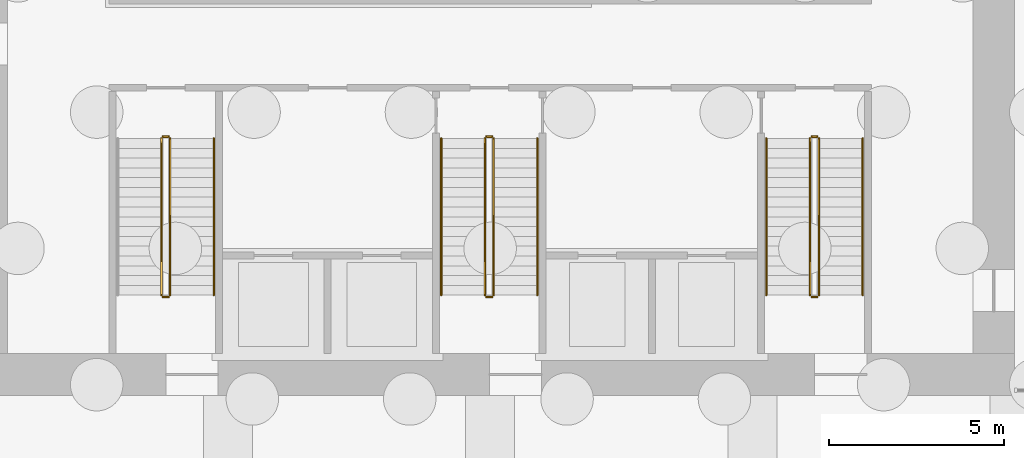
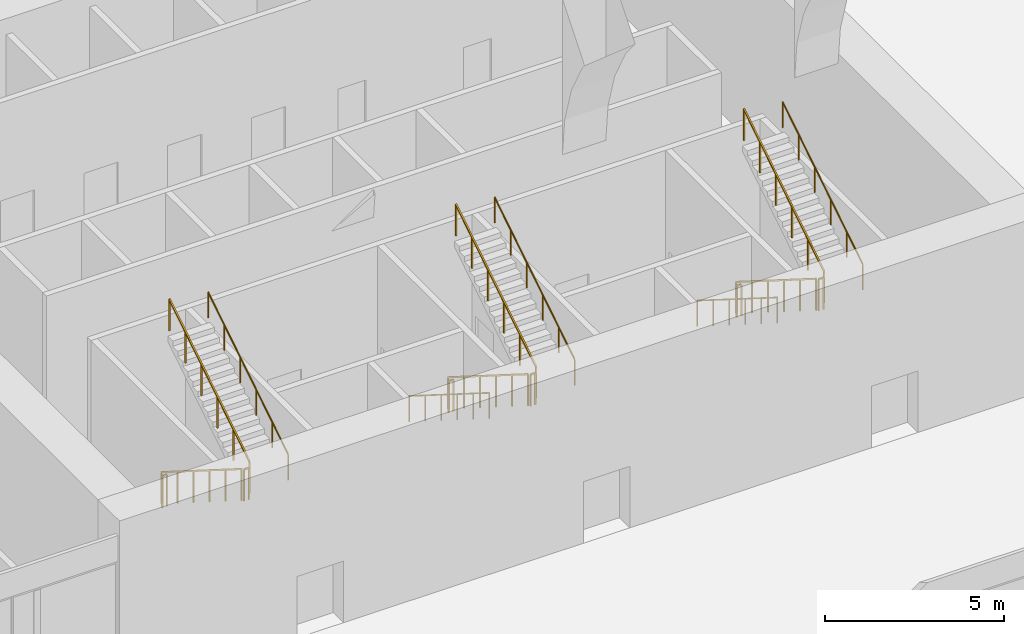
# One storey, part 44 of 46: 17 railings.
"""IFC4 building model written with IfcOpenShell, lengths in metres."""

from ifc_helpers import new_model, si_unit, direction, frame, origin, origin_2d, place, context, subcontext, project, spatial, rectangle, circle, extrude, material, type_object, element, save


model = new_model("IFC4")

# Units and contexts
model_context = context("Model", 3, precision=1e-05, world=origin(), true_north=direction((0.0, 1.0)))
body_context = subcontext(model_context, "Body", "Model", "MODEL_VIEW")
ifc_project = project(units=[si_unit("LENGTHUNIT", "METRE"), si_unit("AREAUNIT", "SQUARE_METRE"), si_unit("VOLUMEUNIT", "CUBIC_METRE"), si_unit("PLANEANGLEUNIT", "RADIAN"), si_unit("MASSUNIT", "GRAM", prefix="KILO")], contexts=[model_context])

# Site, building, storey
site_placement = place(None, origin())
site = spatial("IfcSite", under=ifc_project, at=site_placement, CompositionType="ELEMENT")
building_placement = place(site_placement, origin())
building = spatial("IfcBuilding", under=site, at=building_placement, Name="Mangrove Gate Tower", CompositionType="ELEMENT")
storey_placement = place(building_placement, origin())
storey = spatial("IfcBuildingStorey", under=building, at=storey_placement, Name="L00", CompositionType="ELEMENT", Elevation=0.0)

# Railings
ifc_material_1 = material(Name="Stainless steel 316", Category="steel")
railing_type_1 = type_object("IfcRailingType", Name="Core stair guard 1100", PredefinedType="GUARDRAIL", material=ifc_material_1)
railing_1_placement = place(storey_placement, frame((-9.39990234375, -4.64990234375, 0.176513671875)))
element("IfcRailing", 1, at=railing_1_placement, inside=storey, type_object=railing_type_1, Name="L00 ST1 stair guard 1", PredefinedType="GUARDRAIL", context=body_context, shape_type="SweptSolid", body=[
    extrude(rectangle(XDim=0.048095703125, YDim=0.048095703125, at=origin_2d()), frame((0.0, 0.0, 1.076171875), z_axis=(0.0, -0.845997938375, 0.533186166611), x_axis=(1.0, 0.0, 0.0)), (0.0, 0.0, 1.0), 5.29541015625),
    extrude(rectangle(XDim=0.0419921875, YDim=0.0419921875, at=origin_2d()), origin(), (0.0, 0.0, 1.0), 1.052001953125),
    extrude(rectangle(XDim=0.0419921875, YDim=0.0419921875, at=origin_2d()), frame((0.0, -0.89599609375, 0.564697265625)), (0.0, 0.0, 1.0), 1.052001953125),
    extrude(rectangle(XDim=0.0419921875, YDim=0.0419921875, at=origin_2d()), frame((0.0, -1.7919921875, 1.12939453125)), (0.0, 0.0, 1.0), 1.052001953125),
    extrude(rectangle(XDim=0.0419921875, YDim=0.0419921875, at=origin_2d()), frame((0.0, -2.68798828125, 1.694091796875)), (0.0, 0.0, 1.0), 1.052001953125),
    extrude(rectangle(XDim=0.0419921875, YDim=0.0419921875, at=origin_2d()), frame((0.0, -3.583984375, 2.2587890625)), (0.0, 0.0, 1.0), 1.052001953125),
    extrude(rectangle(XDim=0.0419921875, YDim=0.0419921875, at=origin_2d()), frame((0.0, -4.47998046875, 2.823486328125)), (0.0, 0.0, 1.0), 1.052001953125),
])
railing_2_placement = place(storey_placement, frame((-9.35009765625, -9.179931640625, 3.0)))
element("IfcRailing", 2, at=railing_2_placement, inside=storey, type_object=railing_type_1, Name="L00 ST1 stair guard 2", PredefinedType="GUARDRAIL", context=body_context, shape_type="SweptSolid", body=[
    extrude(rectangle(XDim=0.048095703125, YDim=0.048095703125, at=origin_2d()), frame((0.0, 0.0, 1.076171875), z_axis=(1.0, 0.0, 0.0), x_axis=(0.0, 1.0, 0.0)), (0.0, 0.0, 1.0), 0.150146484375),
    extrude(rectangle(XDim=0.0419921875, YDim=0.0419921875, at=origin_2d()), origin(), (0.0, 0.0, 1.0), 1.052001953125),
    extrude(rectangle(XDim=0.0419921875, YDim=0.0419921875, at=origin_2d()), frame((0.150146484375, 0.0, 0.0)), (0.0, 0.0, 1.0), 1.052001953125),
])
railing_3_placement = place(storey_placement, frame((-9.14990234375, -9.1298828125, 3.176513671875)))
element("IfcRailing", 3, at=railing_3_placement, inside=storey, type_object=railing_type_1, Name="L00 ST1 stair guard 3", PredefinedType="GUARDRAIL", context=body_context, shape_type="SweptSolid", body=[
    extrude(rectangle(XDim=0.048095703125, YDim=0.048095703125, at=origin_2d()), frame((0.0, 0.0, 1.076171875), z_axis=(0.0, 0.845997938375, 0.533186166611), x_axis=(-1.0, 0.0, 0.0)), (0.0, 0.0, 1.0), 5.29541015625),
    extrude(rectangle(XDim=0.0419921875, YDim=0.0419921875, at=origin_2d()), origin(), (0.0, 0.0, 1.0), 1.052001953125),
    extrude(rectangle(XDim=0.0419921875, YDim=0.0419921875, at=origin_2d()), frame((0.0, 0.89599609375, 0.564697265625)), (0.0, 0.0, 1.0), 1.052001953125),
    extrude(rectangle(XDim=0.0419921875, YDim=0.0419921875, at=origin_2d()), frame((0.0, 1.7919921875, 1.12939453125)), (0.0, 0.0, 1.0), 1.052001953125),
    extrude(rectangle(XDim=0.0419921875, YDim=0.0419921875, at=origin_2d()), frame((0.0, 2.68798828125, 1.694091796875)), (0.0, 0.0, 1.0), 1.052001953125),
    extrude(rectangle(XDim=0.0419921875, YDim=0.0419921875, at=origin_2d()), frame((0.0, 3.583984375, 2.2587890625)), (0.0, 0.0, 1.0), 1.052001953125),
    extrude(rectangle(XDim=0.0419921875, YDim=0.0419921875, at=origin_2d()), frame((0.0, 4.47998046875, 2.823486328125)), (0.0, 0.0, 1.0), 1.052001953125),
])
railing_4_placement = place(storey_placement, frame((-9.35009765625, -4.60009765625, 0.0)))
element("IfcRailing", 4, at=railing_4_placement, inside=storey, type_object=railing_type_1, Name="L00 ST1 stair guard 4", PredefinedType="GUARDRAIL", context=body_context, shape_type="SweptSolid", body=[
    extrude(rectangle(XDim=0.048095703125, YDim=0.048095703125, at=origin_2d()), frame((0.0, 0.0, 1.076171875), z_axis=(1.0, 0.0, 0.0), x_axis=(0.0, 1.0, 0.0)), (0.0, 0.0, 1.0), 0.150146484375),
    extrude(rectangle(XDim=0.0419921875, YDim=0.0419921875, at=origin_2d()), origin(), (0.0, 0.0, 1.0), 1.052001953125),
    extrude(rectangle(XDim=0.0419921875, YDim=0.0419921875, at=origin_2d()), frame((0.150146484375, 0.0, 0.0)), (0.0, 0.0, 1.0), 1.052001953125),
])
railing_5_placement = place(storey_placement, frame((-0.14990234375, -4.64990234375, 0.176513671875)))
element("IfcRailing", 5, at=railing_5_placement, inside=storey, type_object=railing_type_1, Name="L00 ST2 stair guard 1", PredefinedType="GUARDRAIL", context=body_context, shape_type="SweptSolid", body=[
    extrude(rectangle(XDim=0.048095703125, YDim=0.048095703125, at=origin_2d()), frame((0.0, 0.0, 1.076171875), z_axis=(0.0, -0.845997938375, 0.533186166611), x_axis=(1.0, 0.0, 0.0)), (0.0, 0.0, 1.0), 5.29541015625),
    extrude(rectangle(XDim=0.0419921875, YDim=0.0419921875, at=origin_2d()), origin(), (0.0, 0.0, 1.0), 1.052001953125),
    extrude(rectangle(XDim=0.0419921875, YDim=0.0419921875, at=origin_2d()), frame((0.0, -0.89599609375, 0.564697265625)), (0.0, 0.0, 1.0), 1.052001953125),
    extrude(rectangle(XDim=0.0419921875, YDim=0.0419921875, at=origin_2d()), frame((0.0, -1.7919921875, 1.12939453125)), (0.0, 0.0, 1.0), 1.052001953125),
    extrude(rectangle(XDim=0.0419921875, YDim=0.0419921875, at=origin_2d()), frame((0.0, -2.68798828125, 1.694091796875)), (0.0, 0.0, 1.0), 1.052001953125),
    extrude(rectangle(XDim=0.0419921875, YDim=0.0419921875, at=origin_2d()), frame((0.0, -3.583984375, 2.2587890625)), (0.0, 0.0, 1.0), 1.052001953125),
    extrude(rectangle(XDim=0.0419921875, YDim=0.0419921875, at=origin_2d()), frame((0.0, -4.47998046875, 2.823486328125)), (0.0, 0.0, 1.0), 1.052001953125),
])
railing_6_placement = place(storey_placement, frame((-0.10009765625, -9.179931640625, 3.0)))
element("IfcRailing", 6, at=railing_6_placement, inside=storey, type_object=railing_type_1, Name="L00 ST2 stair guard 2", PredefinedType="GUARDRAIL", context=body_context, shape_type="SweptSolid", body=[
    extrude(rectangle(XDim=0.048095703125, YDim=0.048095703125, at=origin_2d()), frame((0.0, 0.0, 1.076171875), z_axis=(1.0, 0.0, 0.0), x_axis=(0.0, 1.0, 0.0)), (0.0, 0.0, 1.0), 0.150146484375),
    extrude(rectangle(XDim=0.0419921875, YDim=0.0419921875, at=origin_2d()), origin(), (0.0, 0.0, 1.0), 1.052001953125),
    extrude(rectangle(XDim=0.0419921875, YDim=0.0419921875, at=origin_2d()), frame((0.150146484375, 0.0, 0.0)), (0.0, 0.0, 1.0), 1.052001953125),
])
railing_7_placement = place(storey_placement, frame((0.10009765625, -9.1298828125, 3.176513671875)))
element("IfcRailing", 7, at=railing_7_placement, inside=storey, type_object=railing_type_1, Name="L00 ST2 stair guard 3", PredefinedType="GUARDRAIL", context=body_context, shape_type="SweptSolid", body=[
    extrude(rectangle(XDim=0.048095703125, YDim=0.048095703125, at=origin_2d()), frame((0.0, 0.0, 1.076171875), z_axis=(0.0, 0.845997938375, 0.533186166611), x_axis=(-1.0, 0.0, 0.0)), (0.0, 0.0, 1.0), 5.29541015625),
    extrude(rectangle(XDim=0.0419921875, YDim=0.0419921875, at=origin_2d()), origin(), (0.0, 0.0, 1.0), 1.052001953125),
    extrude(rectangle(XDim=0.0419921875, YDim=0.0419921875, at=origin_2d()), frame((0.0, 0.89599609375, 0.564697265625)), (0.0, 0.0, 1.0), 1.052001953125),
    extrude(rectangle(XDim=0.0419921875, YDim=0.0419921875, at=origin_2d()), frame((0.0, 1.7919921875, 1.12939453125)), (0.0, 0.0, 1.0), 1.052001953125),
    extrude(rectangle(XDim=0.0419921875, YDim=0.0419921875, at=origin_2d()), frame((0.0, 2.68798828125, 1.694091796875)), (0.0, 0.0, 1.0), 1.052001953125),
    extrude(rectangle(XDim=0.0419921875, YDim=0.0419921875, at=origin_2d()), frame((0.0, 3.583984375, 2.2587890625)), (0.0, 0.0, 1.0), 1.052001953125),
    extrude(rectangle(XDim=0.0419921875, YDim=0.0419921875, at=origin_2d()), frame((0.0, 4.47998046875, 2.823486328125)), (0.0, 0.0, 1.0), 1.052001953125),
])
railing_8_placement = place(storey_placement, frame((-0.10009765625, -4.60009765625, 0.0)))
element("IfcRailing", 8, at=railing_8_placement, inside=storey, type_object=railing_type_1, Name="L00 ST2 stair guard 4", PredefinedType="GUARDRAIL", context=body_context, shape_type="SweptSolid", body=[
    extrude(rectangle(XDim=0.048095703125, YDim=0.048095703125, at=origin_2d()), frame((0.0, 0.0, 1.076171875), z_axis=(1.0, 0.0, 0.0), x_axis=(0.0, 1.0, 0.0)), (0.0, 0.0, 1.0), 0.150146484375),
    extrude(rectangle(XDim=0.0419921875, YDim=0.0419921875, at=origin_2d()), origin(), (0.0, 0.0, 1.0), 1.052001953125),
    extrude(rectangle(XDim=0.0419921875, YDim=0.0419921875, at=origin_2d()), frame((0.150146484375, 0.0, 0.0)), (0.0, 0.0, 1.0), 1.052001953125),
])
railing_9_placement = place(storey_placement, frame((9.14990234375, -4.64990234375, 0.176513671875)))
element("IfcRailing", 9, at=railing_9_placement, inside=storey, type_object=railing_type_1, Name="L00 ST3 stair guard 1", PredefinedType="GUARDRAIL", context=body_context, shape_type="SweptSolid", body=[
    extrude(rectangle(XDim=0.048095703125, YDim=0.048095703125, at=origin_2d()), frame((0.0, 0.0, 1.076171875), z_axis=(0.0, -0.845997938375, 0.533186166611), x_axis=(1.0, 0.0, 0.0)), (0.0, 0.0, 1.0), 5.29541015625),
    extrude(rectangle(XDim=0.0419921875, YDim=0.0419921875, at=origin_2d()), origin(), (0.0, 0.0, 1.0), 1.052001953125),
    extrude(rectangle(XDim=0.0419921875, YDim=0.0419921875, at=origin_2d()), frame((0.0, -0.89599609375, 0.564697265625)), (0.0, 0.0, 1.0), 1.052001953125),
    extrude(rectangle(XDim=0.0419921875, YDim=0.0419921875, at=origin_2d()), frame((0.0, -1.7919921875, 1.12939453125)), (0.0, 0.0, 1.0), 1.052001953125),
    extrude(rectangle(XDim=0.0419921875, YDim=0.0419921875, at=origin_2d()), frame((0.0, -2.68798828125, 1.694091796875)), (0.0, 0.0, 1.0), 1.052001953125),
    extrude(rectangle(XDim=0.0419921875, YDim=0.0419921875, at=origin_2d()), frame((0.0, -3.583984375, 2.2587890625)), (0.0, 0.0, 1.0), 1.052001953125),
    extrude(rectangle(XDim=0.0419921875, YDim=0.0419921875, at=origin_2d()), frame((0.0, -4.47998046875, 2.823486328125)), (0.0, 0.0, 1.0), 1.052001953125),
])
railing_10_placement = place(storey_placement, frame((9.199951171875, -9.179931640625, 3.0)))
element("IfcRailing", 10, at=railing_10_placement, inside=storey, type_object=railing_type_1, Name="L00 ST3 stair guard 2", PredefinedType="GUARDRAIL", context=body_context, shape_type="SweptSolid", body=[
    extrude(rectangle(XDim=0.048095703125, YDim=0.048095703125, at=origin_2d()), frame((0.0, 0.0, 1.076171875), z_axis=(1.0, 0.0, 0.0), x_axis=(0.0, 1.0, 0.0)), (0.0, 0.0, 1.0), 0.150146484375),
    extrude(rectangle(XDim=0.0419921875, YDim=0.0419921875, at=origin_2d()), origin(), (0.0, 0.0, 1.0), 1.052001953125),
    extrude(rectangle(XDim=0.0419921875, YDim=0.0419921875, at=origin_2d()), frame((0.150146484375, 0.0, 0.0)), (0.0, 0.0, 1.0), 1.052001953125),
])
railing_11_placement = place(storey_placement, frame((9.39990234375, -9.1298828125, 3.176513671875)))
element("IfcRailing", 11, at=railing_11_placement, inside=storey, type_object=railing_type_1, Name="L00 ST3 stair guard 3", PredefinedType="GUARDRAIL", context=body_context, shape_type="SweptSolid", body=[
    extrude(rectangle(XDim=0.048095703125, YDim=0.048095703125, at=origin_2d()), frame((0.0, 0.0, 1.076171875), z_axis=(0.0, 0.845997938375, 0.533186166611), x_axis=(-1.0, 0.0, 0.0)), (0.0, 0.0, 1.0), 5.29541015625),
    extrude(rectangle(XDim=0.0419921875, YDim=0.0419921875, at=origin_2d()), origin(), (0.0, 0.0, 1.0), 1.052001953125),
    extrude(rectangle(XDim=0.0419921875, YDim=0.0419921875, at=origin_2d()), frame((0.0, 0.89599609375, 0.564697265625)), (0.0, 0.0, 1.0), 1.052001953125),
    extrude(rectangle(XDim=0.0419921875, YDim=0.0419921875, at=origin_2d()), frame((0.0, 1.7919921875, 1.12939453125)), (0.0, 0.0, 1.0), 1.052001953125),
    extrude(rectangle(XDim=0.0419921875, YDim=0.0419921875, at=origin_2d()), frame((0.0, 2.68798828125, 1.694091796875)), (0.0, 0.0, 1.0), 1.052001953125),
    extrude(rectangle(XDim=0.0419921875, YDim=0.0419921875, at=origin_2d()), frame((0.0, 3.583984375, 2.2587890625)), (0.0, 0.0, 1.0), 1.052001953125),
    extrude(rectangle(XDim=0.0419921875, YDim=0.0419921875, at=origin_2d()), frame((0.0, 4.47998046875, 2.823486328125)), (0.0, 0.0, 1.0), 1.052001953125),
])
railing_12_placement = place(storey_placement, frame((9.199951171875, -4.60009765625, 0.0)))
element("IfcRailing", 12, at=railing_12_placement, inside=storey, type_object=railing_type_1, Name="L00 ST3 stair guard 4", PredefinedType="GUARDRAIL", context=body_context, shape_type="SweptSolid", body=[
    extrude(rectangle(XDim=0.048095703125, YDim=0.048095703125, at=origin_2d()), frame((0.0, 0.0, 1.076171875), z_axis=(1.0, 0.0, 0.0), x_axis=(0.0, 1.0, 0.0)), (0.0, 0.0, 1.0), 0.150146484375),
    extrude(rectangle(XDim=0.0419921875, YDim=0.0419921875, at=origin_2d()), origin(), (0.0, 0.0, 1.0), 1.052001953125),
    extrude(rectangle(XDim=0.0419921875, YDim=0.0419921875, at=origin_2d()), frame((0.150146484375, 0.0, 0.0)), (0.0, 0.0, 1.0), 1.052001953125),
])
ifc_material_2 = material(Name="Stainless steel 316", Category="steel")
railing_type_2 = type_object("IfcRailingType", Name="Core stair handrail 900", PredefinedType="HANDRAIL", material=ifc_material_2)
railing_13_placement = place(storey_placement, frame((-7.89990234375, -9.1298828125, 3.176513671875)))
element("IfcRailing", 13, at=railing_13_placement, inside=storey, type_object=railing_type_2, Name="L00 ST1 stair handrail 2", PredefinedType="HANDRAIL", context=body_context, shape_type="SweptSolid", body=[
    extrude(circle(Radius=0.02392578125, at=origin_2d()), frame((0.0, 0.0, 0.8759765625), z_axis=(0.0, 0.845997938375, 0.533186166611), x_axis=(-1.0, 0.0, 0.0)), (0.0, 0.0, 1.0), 5.29541015625),
    extrude(circle(Radius=0.02099609375, at=origin_2d()), origin(), (0.0, 0.0, 1.0), 0.851806640625),
    extrude(circle(Radius=0.02099609375, at=origin_2d()), frame((0.0, 0.89599609375, 0.564697265625)), (0.0, 0.0, 1.0), 0.851806640625),
    extrude(circle(Radius=0.02099609375, at=origin_2d()), frame((0.0, 1.7919921875, 1.12939453125)), (0.0, 0.0, 1.0), 0.851806640625),
    extrude(circle(Radius=0.02099609375, at=origin_2d()), frame((0.0, 2.68798828125, 1.694091796875)), (0.0, 0.0, 1.0), 0.851806640625),
    extrude(circle(Radius=0.02099609375, at=origin_2d()), frame((0.0, 3.583984375, 2.2587890625)), (0.0, 0.0, 1.0), 0.851806640625),
    extrude(circle(Radius=0.02099609375, at=origin_2d()), frame((0.0, 4.47998046875, 2.823486328125)), (0.0, 0.0, 1.0), 0.851806640625),
])
railing_14_placement = place(storey_placement, frame((-1.39990234375, -4.64990234375, 0.176513671875)))
element("IfcRailing", 14, at=railing_14_placement, inside=storey, type_object=railing_type_2, Name="L00 ST2 stair handrail 1", PredefinedType="HANDRAIL", context=body_context, shape_type="SweptSolid", body=[
    extrude(circle(Radius=0.02392578125, at=origin_2d()), frame((0.0, 0.0, 0.8759765625), z_axis=(0.0, -0.845997938375, 0.533186166611), x_axis=(1.0, 0.0, 0.0)), (0.0, 0.0, 1.0), 5.29541015625),
    extrude(circle(Radius=0.02099609375, at=origin_2d()), origin(), (0.0, 0.0, 1.0), 0.851806640625),
    extrude(circle(Radius=0.02099609375, at=origin_2d()), frame((0.0, -0.89599609375, 0.564697265625)), (0.0, 0.0, 1.0), 0.851806640625),
    extrude(circle(Radius=0.02099609375, at=origin_2d()), frame((0.0, -1.7919921875, 1.12939453125)), (0.0, 0.0, 1.0), 0.851806640625),
    extrude(circle(Radius=0.02099609375, at=origin_2d()), frame((0.0, -2.68798828125, 1.694091796875)), (0.0, 0.0, 1.0), 0.851806640625),
    extrude(circle(Radius=0.02099609375, at=origin_2d()), frame((0.0, -3.583984375, 2.2587890625)), (0.0, 0.0, 1.0), 0.851806640625),
    extrude(circle(Radius=0.02099609375, at=origin_2d()), frame((0.0, -4.47998046875, 2.823486328125)), (0.0, 0.0, 1.0), 0.851806640625),
])
railing_15_placement = place(storey_placement, frame((1.35009765625, -9.1298828125, 3.176513671875)))
element("IfcRailing", 15, at=railing_15_placement, inside=storey, type_object=railing_type_2, Name="L00 ST2 stair handrail 2", PredefinedType="HANDRAIL", context=body_context, shape_type="SweptSolid", body=[
    extrude(circle(Radius=0.02392578125, at=origin_2d()), frame((0.0, 0.0, 0.8759765625), z_axis=(0.0, 0.845997938375, 0.533186166611), x_axis=(-1.0, 0.0, 0.0)), (0.0, 0.0, 1.0), 5.29541015625),
    extrude(circle(Radius=0.02099609375, at=origin_2d()), origin(), (0.0, 0.0, 1.0), 0.851806640625),
    extrude(circle(Radius=0.02099609375, at=origin_2d()), frame((0.0, 0.89599609375, 0.564697265625)), (0.0, 0.0, 1.0), 0.851806640625),
    extrude(circle(Radius=0.02099609375, at=origin_2d()), frame((0.0, 1.7919921875, 1.12939453125)), (0.0, 0.0, 1.0), 0.851806640625),
    extrude(circle(Radius=0.02099609375, at=origin_2d()), frame((0.0, 2.68798828125, 1.694091796875)), (0.0, 0.0, 1.0), 0.851806640625),
    extrude(circle(Radius=0.02099609375, at=origin_2d()), frame((0.0, 3.583984375, 2.2587890625)), (0.0, 0.0, 1.0), 0.851806640625),
    extrude(circle(Radius=0.02099609375, at=origin_2d()), frame((0.0, 4.47998046875, 2.823486328125)), (0.0, 0.0, 1.0), 0.851806640625),
])
railing_16_placement = place(storey_placement, frame((7.89990234375, -4.64990234375, 0.176513671875)))
element("IfcRailing", 16, at=railing_16_placement, inside=storey, type_object=railing_type_2, Name="L00 ST3 stair handrail 1", PredefinedType="HANDRAIL", context=body_context, shape_type="SweptSolid", body=[
    extrude(circle(Radius=0.02392578125, at=origin_2d()), frame((0.0, 0.0, 0.8759765625), z_axis=(0.0, -0.845997938375, 0.533186166611), x_axis=(1.0, 0.0, 0.0)), (0.0, 0.0, 1.0), 5.29541015625),
    extrude(circle(Radius=0.02099609375, at=origin_2d()), origin(), (0.0, 0.0, 1.0), 0.851806640625),
    extrude(circle(Radius=0.02099609375, at=origin_2d()), frame((0.0, -0.89599609375, 0.564697265625)), (0.0, 0.0, 1.0), 0.851806640625),
    extrude(circle(Radius=0.02099609375, at=origin_2d()), frame((0.0, -1.7919921875, 1.12939453125)), (0.0, 0.0, 1.0), 0.851806640625),
    extrude(circle(Radius=0.02099609375, at=origin_2d()), frame((0.0, -2.68798828125, 1.694091796875)), (0.0, 0.0, 1.0), 0.851806640625),
    extrude(circle(Radius=0.02099609375, at=origin_2d()), frame((0.0, -3.583984375, 2.2587890625)), (0.0, 0.0, 1.0), 0.851806640625),
    extrude(circle(Radius=0.02099609375, at=origin_2d()), frame((0.0, -4.47998046875, 2.823486328125)), (0.0, 0.0, 1.0), 0.851806640625),
])
railing_17_placement = place(storey_placement, frame((10.64990234375, -9.1298828125, 3.176513671875)))
element("IfcRailing", 17, at=railing_17_placement, inside=storey, type_object=railing_type_2, Name="L00 ST3 stair handrail 2", PredefinedType="HANDRAIL", context=body_context, shape_type="SweptSolid", body=[
    extrude(circle(Radius=0.02392578125, at=origin_2d()), frame((0.0, 0.0, 0.8759765625), z_axis=(0.0, 0.845997938375, 0.533186166611), x_axis=(-1.0, 0.0, 0.0)), (0.0, 0.0, 1.0), 5.29541015625),
    extrude(circle(Radius=0.02099609375, at=origin_2d()), origin(), (0.0, 0.0, 1.0), 0.851806640625),
    extrude(circle(Radius=0.02099609375, at=origin_2d()), frame((0.0, 0.89599609375, 0.564697265625)), (0.0, 0.0, 1.0), 0.851806640625),
    extrude(circle(Radius=0.02099609375, at=origin_2d()), frame((0.0, 1.7919921875, 1.12939453125)), (0.0, 0.0, 1.0), 0.851806640625),
    extrude(circle(Radius=0.02099609375, at=origin_2d()), frame((0.0, 2.68798828125, 1.694091796875)), (0.0, 0.0, 1.0), 0.851806640625),
    extrude(circle(Radius=0.02099609375, at=origin_2d()), frame((0.0, 3.583984375, 2.2587890625)), (0.0, 0.0, 1.0), 0.851806640625),
    extrude(circle(Radius=0.02099609375, at=origin_2d()), frame((0.0, 4.47998046875, 2.823486328125)), (0.0, 0.0, 1.0), 0.851806640625),
])

save(model, "model.ifc")
